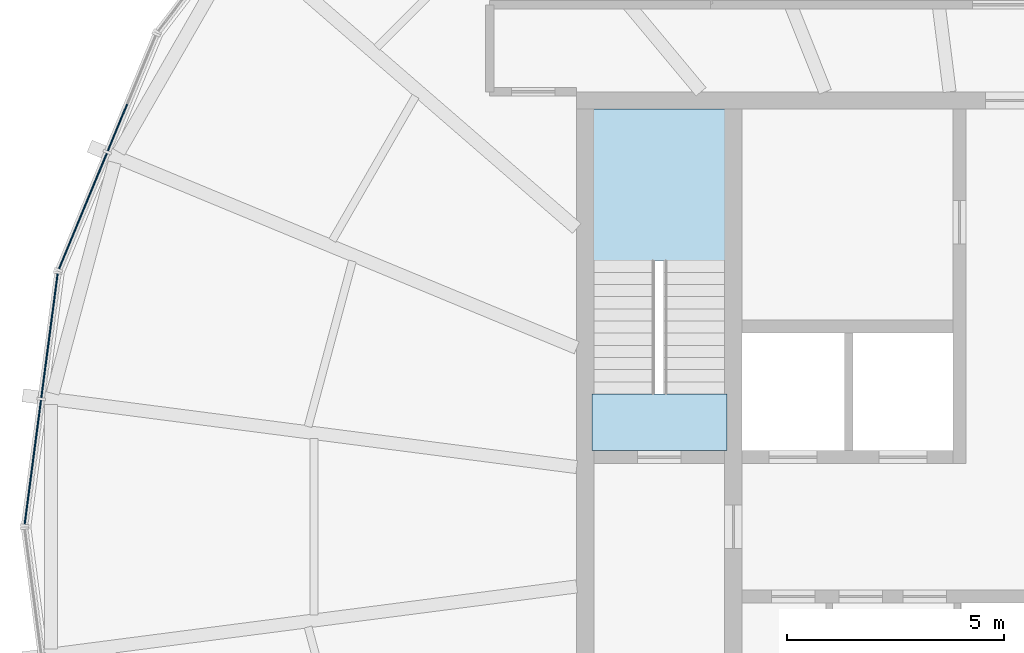
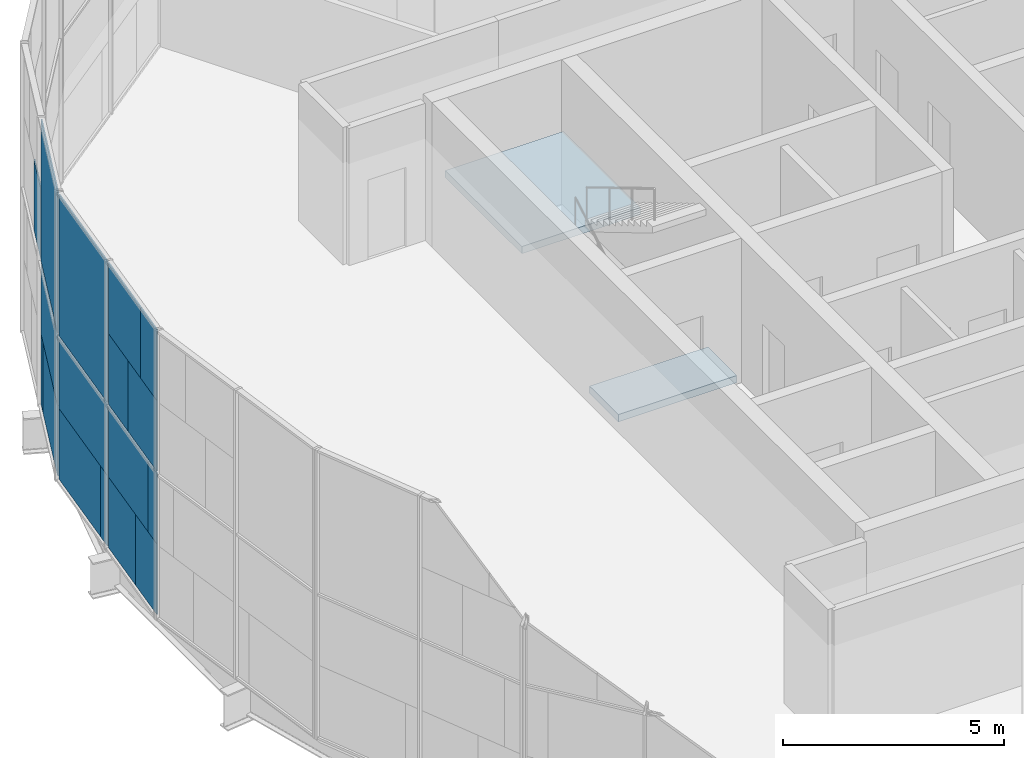
# One storey, part 10 of 19: 17 plates, 2 slabs, 3 elements without a shape of their own.
"""IFC4 building model written with IfcOpenShell, lengths in metres."""

from ifc_helpers import new_model, si_unit, direction, frame, origin, origin_2d, place, context, subcontext, project, spatial, polyline, rectangle, outline, extrude, material, layer, layer_set, type_object, element, aggregate, save


model = new_model("IFC4")

# Units and contexts
model_context = context("Model", 3, precision=1e-05, world=origin(), true_north=direction((0.0, 1.0)))
body_context = subcontext(model_context, "Body", "Model", "MODEL_VIEW")
ifc_project = project(units=[si_unit("LENGTHUNIT", "METRE"), si_unit("AREAUNIT", "SQUARE_METRE"), si_unit("VOLUMEUNIT", "CUBIC_METRE"), si_unit("PLANEANGLEUNIT", "RADIAN"), si_unit("MASSUNIT", "GRAM", prefix="KILO")], contexts=[model_context])

# Site, building, storey
site_placement = place(None, origin())
site = spatial("IfcSite", under=ifc_project, at=site_placement, CompositionType="ELEMENT")
building_placement = place(site_placement, origin())
building = spatial("IfcBuilding", under=site, at=building_placement, Name="Golbaran Civic Tower", CompositionType="ELEMENT")
storey_placement = place(building_placement, frame((0.0, 0.0, 240.0)))
storey = spatial("IfcBuildingStorey", under=building, at=storey_placement, Name="L58", CompositionType="ELEMENT", Elevation=240.0)

# Curtain wall, plates
ifc_material_1 = material(Name="Aluminium and glass", Category="aluminium")
curtain_wall_type = type_object("IfcCurtainWallType", Name="INNER SKIN CURTAIN WALL EXECUTIVE", PredefinedType="NOTDEFINED", material=ifc_material_1)
curtain_wall_1_placement = place(storey_placement, origin())
curtain_wall_1 = element("IfcCurtainWall", 1, at=curtain_wall_1_placement, inside=storey, type_object=curtain_wall_type, Name="Inner skin L58 facet 11 CW2", ObjectType="INNER SKIN", PredefinedType="USERDEFINED")
ifc_material_2 = material(Name="Clear insulating glass", Category="glass")
ifc_layer_1 = layer(ifc_material_2, 0.031982421875, Name="Clear insulating glass")
ifc_layer_set_1 = layer_set([ifc_layer_1], Name="Clear insulating glass")
plate_type_1 = type_object("IfcPlateType", Name="INNER SKIN CURTAIN WALL EXECUTIVE GLAZED PANEL", PredefinedType="CURTAIN_PANEL", material=ifc_layer_set_1)
plate_1_placement = place(storey_placement, frame((-20.559326171875, 9.176025390625, 4.030029296875), z_axis=(0.0, 0.0, 1.0), x_axis=(-0.382683432397, -0.923879532498, 0.0)))
plate_1 = element("IfcPlate", 2, at=plate_1_placement, type_object=plate_type_1, Name="CW2 panel 1.2 part 2", PredefinedType="CURTAIN_PANEL", context=body_context, shape_type="SweptSolid", body=[
    extrude(rectangle(XDim=1.159912109375, YDim=0.031982421875, at=origin_2d()), origin(), (0.0, 0.0, 1.0), 1.955078125),
])
plate_2_placement = place(storey_placement, frame((-21.4306640625, 7.072509765625, 0.06005859375), z_axis=(0.0, 0.0, 1.0), x_axis=(-0.382683432397, -0.923879532498, 0.0)))
plate_2 = element("IfcPlate", 3, at=plate_2_placement, type_object=plate_type_1, Name="CW2 panel 2.1 part 2", PredefinedType="CURTAIN_PANEL", context=body_context, shape_type="SweptSolid", body=[
    extrude(rectangle(XDim=2.471923828125, YDim=0.031982421875, at=origin_2d()), origin(), (0.0, 0.0, 1.0), 1.955078125),
])
plate_3_placement = place(storey_placement, frame((-21.353759765625, 7.2578125, 2.014892578125), z_axis=(0.0, 0.0, 1.0), x_axis=(-0.382683432397, -0.923879532498, 0.0)))
plate_3 = element("IfcPlate", 4, at=plate_3_placement, type_object=plate_type_1, Name="CW2 panel 2.1 part 3", PredefinedType="CURTAIN_PANEL", context=body_context, shape_type="SweptSolid", body=[
    extrude(rectangle(XDim=2.873046875, YDim=0.031982421875, at=origin_2d()), origin(), (0.0, 0.0, 1.0), 1.955078125),
])
plate_4_placement = place(storey_placement, frame((-21.353759765625, 7.2578125, 4.0302734375), z_axis=(0.0, 0.0, 1.0), x_axis=(-0.382683432397, -0.923879532498, 0.0)))
plate_4 = element("IfcPlate", 5, at=plate_4_placement, type_object=plate_type_1, Name="CW2 panel 2.2", PredefinedType="CURTAIN_PANEL", context=body_context, shape_type="SweptSolid", body=[
    extrude(rectangle(XDim=2.873046875, YDim=0.031982421875, at=origin_2d()), origin(), (0.0, 0.0, 1.0), 3.909912109375),
])

curtain_wall_2_placement = place(storey_placement, origin())
curtain_wall_2 = element("IfcCurtainWall", 6, at=curtain_wall_2_placement, inside=storey, type_object=curtain_wall_type, Name="Inner skin L58 facet 12 CW2", ObjectType="INNER SKIN", PredefinedType="USERDEFINED")
plate_5_placement = place(storey_placement, frame((-22.095703125, 4.5908203125, 0.06005859375), z_axis=(0.0, 0.0, 1.0), x_axis=(-0.130526192168, -0.991444861381, 0.0)))
plate_5 = element("IfcPlate", 7, at=plate_5_placement, type_object=plate_type_1, Name="CW2 panel 1.1 part 1", PredefinedType="CURTAIN_PANEL", context=body_context, shape_type="SweptSolid", body=[
    extrude(rectangle(XDim=2.470947265625, YDim=0.031982421875, at=origin_2d()), origin(), (0.0, 0.0, 1.0), 1.955078125),
])
plate_6_placement = place(storey_placement, frame((-22.121826171875, 4.3916015625, 2.014892578125), z_axis=(0.0, 0.0, 1.0), x_axis=(-0.130526192168, -0.991444861381, 0.0)))
plate_6 = element("IfcPlate", 8, at=plate_6_placement, type_object=plate_type_1, Name="CW2 panel 1.1 part 3", PredefinedType="CURTAIN_PANEL", context=body_context, shape_type="SweptSolid", body=[
    extrude(rectangle(XDim=2.873046875, YDim=0.031982421875, at=origin_2d()), origin(), (0.0, 0.0, 1.0), 1.955078125),
])
plate_7_placement = place(storey_placement, frame((-22.121826171875, 4.3916015625, 4.0302734375), z_axis=(0.0, 0.0, 1.0), x_axis=(-0.130526192168, -0.991444861381, 0.0)))
plate_7 = element("IfcPlate", 9, at=plate_7_placement, type_object=plate_type_1, Name="CW2 panel 1.2", PredefinedType="CURTAIN_PANEL", context=body_context, shape_type="SweptSolid", body=[
    extrude(rectangle(XDim=2.873046875, YDim=0.031982421875, at=origin_2d()), origin(), (0.0, 0.0, 1.0), 3.909912109375),
])
plate_8_placement = place(storey_placement, frame((-22.609375, 0.68896484375, 0.06005859375), z_axis=(0.0, 0.0, 1.0), x_axis=(-0.130526192168, -0.991444861381, 0.0)))
plate_8 = element("IfcPlate", 10, at=plate_8_placement, type_object=plate_type_1, Name="CW2 panel 2.1 part 2", PredefinedType="CURTAIN_PANEL", context=body_context, shape_type="SweptSolid", body=[
    extrude(rectangle(XDim=1.27001953125, YDim=0.031982421875, at=origin_2d()), origin(), (0.0, 0.0, 1.0), 1.955078125),
])
plate_9_placement = place(storey_placement, frame((-22.658447265625, 0.315185546875, 2.014892578125), z_axis=(0.0, 0.0, 1.0), x_axis=(-0.130526192168, -0.991444861381, 0.0)))
plate_9 = element("IfcPlate", 11, at=plate_9_placement, type_object=plate_type_1, Name="CW2 panel 2.1 part 4", PredefinedType="CURTAIN_PANEL", context=body_context, shape_type="SweptSolid", body=[
    extrude(rectangle(XDim=0.515869140625, YDim=0.031982421875, at=origin_2d()), origin(), (0.0, 0.0, 1.0), 1.955078125),
])
plate_10_placement = place(storey_placement, frame((-22.392822265625, 2.332763671875, 4.030029296875), z_axis=(0.0, 0.0, 1.0), x_axis=(-0.130526192168, -0.991444861381, 0.0)))
plate_10 = element("IfcPlate", 12, at=plate_10_placement, type_object=plate_type_1, Name="CW2 panel 2.2 part 1", PredefinedType="CURTAIN_PANEL", context=body_context, shape_type="SweptSolid", body=[
    extrude(rectangle(XDim=1.159912109375, YDim=0.031982421875, at=origin_2d()), origin(), (0.0, 0.0, 1.0), 1.955078125),
])
plate_11_placement = place(storey_placement, frame((-22.442138671875, 1.958984375, 5.98486328125), z_axis=(0.0, 0.0, 1.0), x_axis=(-0.130526192168, -0.991444861381, 0.0)))
plate_11 = element("IfcPlate", 13, at=plate_11_placement, type_object=plate_type_1, Name="CW2 panel 2.2 part 3", PredefinedType="CURTAIN_PANEL", context=body_context, shape_type="SweptSolid", body=[
    extrude(rectangle(XDim=1.9140625, YDim=0.031982421875, at=origin_2d()), origin(), (0.0, 0.0, 1.0), 1.955078125),
])

# Plate
ifc_material_3 = material(Name="Aluminium faced opaque infill panel", Category="aluminium")
ifc_layer_2 = layer(ifc_material_3, 0.031982421875, Name="Aluminium faced opaque infill panel")
ifc_layer_set_2 = layer_set([ifc_layer_2], Name="Aluminium faced opaque infill panel")
plate_type_2 = type_object("IfcPlateType", Name="INNER SKIN CURTAIN WALL EXECUTIVE OPAQUE INFILL PANEL", PredefinedType="CURTAIN_PANEL", material=ifc_layer_set_2)
plate_12_placement = place(storey_placement, frame((-20.880859375, 8.399658203125, 0.06005859375), z_axis=(0.0, 0.0, 1.0), x_axis=(-0.382683432397, -0.923879532498, 0.0)))
plate_12 = element("IfcPlate", 14, at=plate_12_placement, type_object=plate_type_2, Name="CW2 infill panel 2.1 part 1", PredefinedType="CURTAIN_PANEL", context=body_context, shape_type="SweptSolid", body=[
    extrude(rectangle(XDim=0.40087890625, YDim=0.031982421875, at=origin_2d()), origin(), (0.0, 0.0, 1.0), 1.955078125),
])

aggregate(curtain_wall_1, [plate_1, plate_12, plate_2, plate_3, plate_4])

plate_13_placement = place(storey_placement, frame((-22.283203125, 3.16650390625, 0.06005859375), z_axis=(0.0, 0.0, 1.0), x_axis=(-0.130526192168, -0.991444861381, 0.0)))
plate_13 = element("IfcPlate", 15, at=plate_13_placement, type_object=plate_type_2, Name="CW2 infill panel 1.1 part 2", PredefinedType="CURTAIN_PANEL", context=body_context, shape_type="SweptSolid", body=[
    extrude(rectangle(XDim=0.40185546875, YDim=0.031982421875, at=origin_2d()), origin(), (0.0, 0.0, 1.0), 1.955078125),
])

plate_14_placement = place(storey_placement, frame((-22.421875, 2.11328125, 0.06005859375), z_axis=(0.0, 0.0, 1.0), x_axis=(-0.130526192168, -0.991444861381, 0.0)))
plate_14 = element("IfcPlate", 16, at=plate_14_placement, type_object=plate_type_2, Name="CW2 infill panel 2.1 part 1", PredefinedType="CURTAIN_PANEL", context=body_context, shape_type="SweptSolid", body=[
    extrude(rectangle(XDim=1.60302734375, YDim=0.031982421875, at=origin_2d()), origin(), (0.0, 0.0, 1.0), 1.955078125),
])

plate_15_placement = place(storey_placement, frame((-22.470947265625, 1.739501953125, 2.014892578125), z_axis=(0.0, 0.0, 1.0), x_axis=(-0.130526192168, -0.991444861381, 0.0)))
plate_15 = element("IfcPlate", 17, at=plate_15_placement, type_object=plate_type_2, Name="CW2 infill panel 2.1 part 3", PredefinedType="CURTAIN_PANEL", context=body_context, shape_type="SweptSolid", body=[
    extrude(rectangle(XDim=2.35693359375, YDim=0.031982421875, at=origin_2d()), origin(), (0.0, 0.0, 1.0), 1.955078125),
])

plate_16_placement = place(storey_placement, frame((-22.580322265625, 0.90869140625, 4.030029296875), z_axis=(0.0, 0.0, 1.0), x_axis=(-0.130526192168, -0.991444861381, 0.0)))
plate_16 = element("IfcPlate", 18, at=plate_16_placement, type_object=plate_type_2, Name="CW2 infill panel 2.2 part 2", PredefinedType="CURTAIN_PANEL", context=body_context, shape_type="SweptSolid", body=[
    extrude(rectangle(XDim=1.712890625, YDim=0.031982421875, at=origin_2d()), origin(), (0.0, 0.0, 1.0), 1.955078125),
])

plate_17_placement = place(storey_placement, frame((-22.629638671875, 0.534912109375, 5.98486328125), z_axis=(0.0, 0.0, 1.0), x_axis=(-0.130526192168, -0.991444861381, 0.0)))
plate_17 = element("IfcPlate", 19, at=plate_17_placement, type_object=plate_type_2, Name="CW2 infill panel 2.2 part 4", PredefinedType="CURTAIN_PANEL", context=body_context, shape_type="SweptSolid", body=[
    extrude(rectangle(XDim=0.958984375, YDim=0.031982421875, at=origin_2d()), origin(), (0.0, 0.0, 1.0), 1.955078125),
])

aggregate(curtain_wall_2, [plate_5, plate_13, plate_6, plate_7, plate_14, plate_8, plate_15, plate_9, plate_10, plate_16, plate_11, plate_17])

# Stair, slab
ifc_material_4 = material(Name="Concrete C35/45", Category="concrete")
stair_type = type_object("IfcStairType", Name="EXIT STAIR 3000 x 7850, 4000 RISE", PredefinedType="HALF_TURN_STAIR", material=ifc_material_4)
stair_placement = place(storey_placement, origin())
stair = element("IfcStair", 20, at=stair_placement, inside=storey, type_object=stair_type, Name="Stair S1 L58", PredefinedType="HALF_TURN_STAIR")
ifc_layer_3 = layer(ifc_material_4, 0.199951171875, Name="Concrete C35/45")
ifc_layer_set_3 = layer_set([ifc_layer_3], Name="Concrete C35/45")
slab_type = type_object("IfcSlabType", Name="STAIR LANDING 200", PredefinedType="LANDING", material=ifc_layer_set_3)
slab_1_placement = place(storey_placement, frame((0.0, 0.0, 1.800048828125)))
slab_1 = element("IfcSlab", 21, at=slab_1_placement, type_object=slab_type, Name="ST30078-40 landing 1", PredefinedType="LANDING", context=body_context, shape_type="SweptSolid", body=[
    extrude(outline(polyline([(-9.64990234375, 6.125), (-9.64990234375, 9.60009765625), (-6.550048828125, 9.60009765625), (-6.550048828125, 6.125), (-9.64990234375, 6.125)])), origin(), (0.0, 0.0, 1.0), 0.199951171875),
])
aggregate(stair, [slab_1])

# Slab
slab_2_placement = place(storey_placement, frame((0.0, 0.0, -0.199951171875)))
element("IfcSlab", 22, at=slab_2_placement, inside=storey, type_object=slab_type, Name="Stair S1 floor landing L58", PredefinedType="LANDING", context=body_context, shape_type="SweptSolid", body=[
    extrude(outline(polyline([(-9.64990234375, 1.75), (-9.64990234375, 3.054931640625), (-6.550048828125, 3.054931640625), (-6.550048828125, 1.75), (-9.64990234375, 1.75)])), origin(), (0.0, 0.0, 1.0), 0.199951171875),
])

save(model, "model.ifc")
